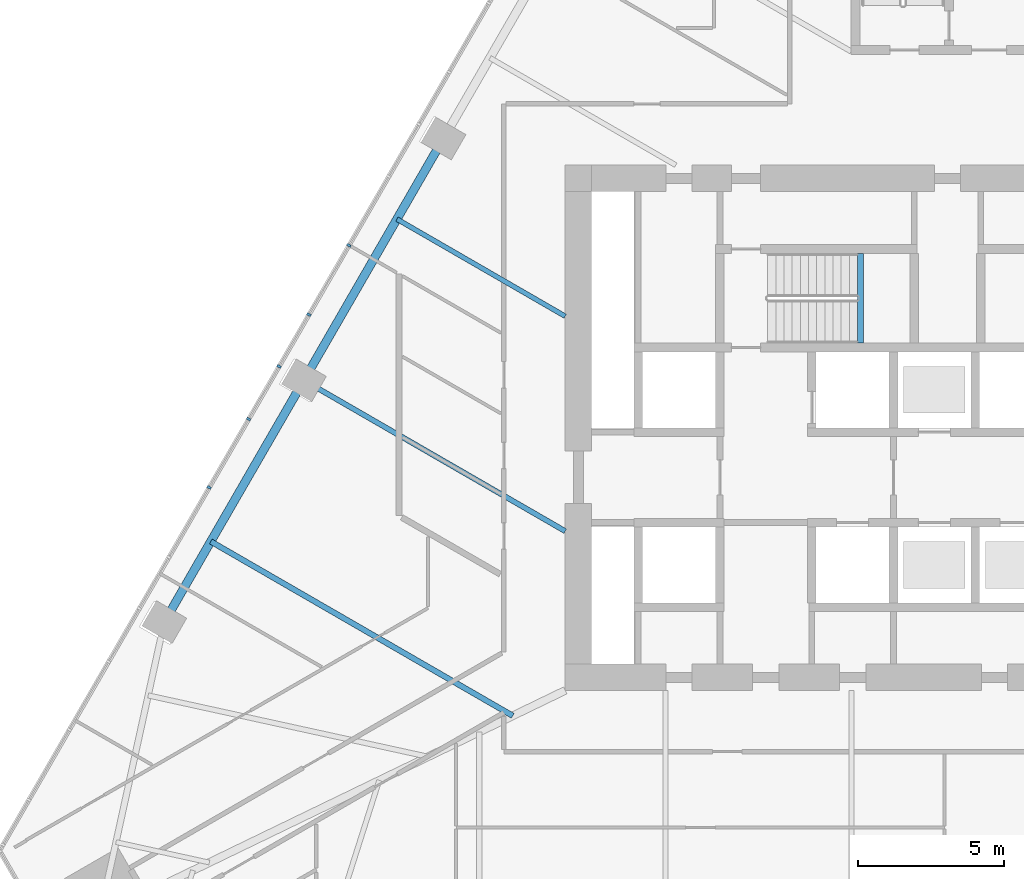
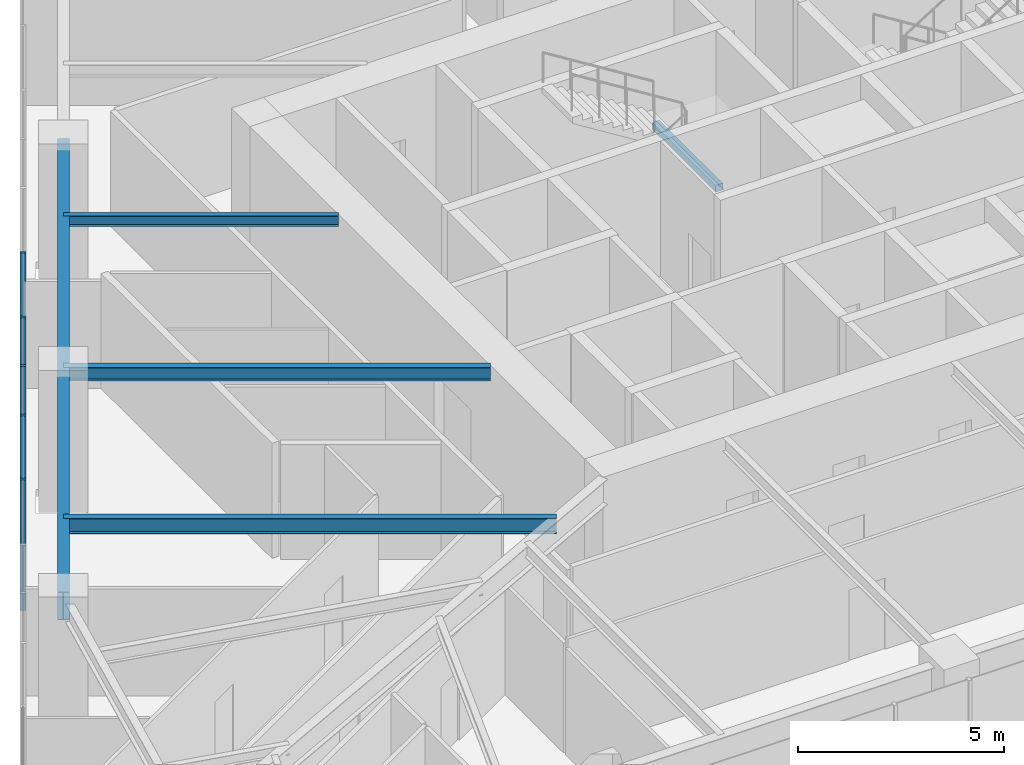
# One storey, part 3 of 29: 5 beams, 5 members, 1 element without a shape of its own.
"""IFC4 building model written with IfcOpenShell, lengths in metres."""

from ifc_helpers import new_model, si_unit, direction, frame, origin, origin_2d, place, context, subcontext, project, spatial, rectangle, i_section, extrude, material, layer, layer_set, material_profile, profile_set, type_object, element, aggregate, save


model = new_model("IFC4")

# Units and contexts
model_context = context("Model", 3, precision=1e-05, world=origin(), true_north=direction((0.0, 1.0)))
body_context = subcontext(model_context, "Body", "Model", "MODEL_VIEW")
ifc_project = project(units=[si_unit("LENGTHUNIT", "METRE"), si_unit("AREAUNIT", "SQUARE_METRE"), si_unit("VOLUMEUNIT", "CUBIC_METRE"), si_unit("PLANEANGLEUNIT", "RADIAN"), si_unit("MASSUNIT", "GRAM", prefix="KILO")], contexts=[model_context])

# Site, building, storey
site_placement = place(None, origin())
site = spatial("IfcSite", under=ifc_project, at=site_placement, CompositionType="ELEMENT")
building_placement = place(site_placement, origin())
building = spatial("IfcBuilding", under=site, at=building_placement, Name="Firuza Gate Tower and Library", CompositionType="ELEMENT")
storey_placement = place(building_placement, frame((0.0, 0.0, 48.39990234375)))
storey = spatial("IfcBuildingStorey", under=building, at=storey_placement, Name="L10", CompositionType="ELEMENT", Elevation=48.39990234375)

# Curtain wall, members
ifc_material_1 = material(Name="Aluminium 6063-T6", Category="aluminium")
ifc_layer = layer(ifc_material_1, 0.14990234375)
ifc_layer_set = layer_set([ifc_layer], Name="Unitised curtain wall, offices")
curtain_wall_type = type_object("IfcCurtainWallType", Name="Unitised curtain wall, offices", PredefinedType="NOTDEFINED", material=ifc_layer_set)
curtain_wall_placement = place(storey_placement, origin())
curtain_wall = element("IfcCurtainWall", 1, at=curtain_wall_placement, inside=storey, type_object=curtain_wall_type, Name="CW1 L10 W face", PredefinedType="NOTDEFINED")
ifc_material_2 = material(Name="Aluminium 6063-T6", Category="aluminium")
ifc_material_profile_1 = material_profile(ifc_material_2, rectangle(XDim=0.14990234375, YDim=0.080078125, at=origin_2d()))
ifc_profile_set_1 = profile_set([ifc_material_profile_1], Name="Aluminium 6063-T6")
member_type = type_object("IfcMemberType", Name="Curtain wall mullion 80x150", PredefinedType="MULLION", material=ifc_profile_set_1)
member_1_placement = place(storey_placement, frame((54.5888671875, 81.25244140625, 0.150146484375), z_axis=(0.0, 0.0, 1.0), x_axis=(0.866025403784, -0.5, 0.0)))
member_1 = element("IfcMember", 2, at=member_1_placement, type_object=member_type, Name="Mullion", PredefinedType="MULLION", context=body_context, shape_type="SweptSolid", body=[
    extrude(rectangle(XDim=0.14990234375, YDim=0.080078125, at=origin_2d()), origin(), (0.0, 0.0, 1.0), 3.849853515625),
])
member_2_placement = place(storey_placement, frame((52.193359375, 77.103515625, 0.150146484375), z_axis=(0.0, 0.0, 1.0), x_axis=(0.866025403784, -0.5, 0.0)))
member_2 = element("IfcMember", 3, at=member_2_placement, type_object=member_type, Name="Mullion", PredefinedType="MULLION", context=body_context, shape_type="SweptSolid", body=[
    extrude(rectangle(XDim=0.14990234375, YDim=0.080078125, at=origin_2d()), origin(), (0.0, 0.0, 1.0), 3.849853515625),
])
member_3_placement = place(storey_placement, frame((49.7978515625, 72.95458984375, 0.150146484375), z_axis=(0.0, 0.0, 1.0), x_axis=(0.866025403784, -0.5, 0.0)))
member_3 = element("IfcMember", 4, at=member_3_placement, type_object=member_type, Name="Mullion", PredefinedType="MULLION", context=body_context, shape_type="SweptSolid", body=[
    extrude(rectangle(XDim=0.14990234375, YDim=0.080078125, at=origin_2d()), origin(), (0.0, 0.0, 1.0), 3.849853515625),
])
member_4_placement = place(storey_placement, frame((53.21728515625, 78.876953125, 0.150146484375), z_axis=(0.0, 0.0, 1.0), x_axis=(0.866025403784, -0.5, 0.0)))
member_4 = element("IfcMember", 5, at=member_4_placement, type_object=member_type, Name="Mullion", PredefinedType="MULLION", context=body_context, shape_type="SweptSolid", body=[
    extrude(rectangle(XDim=0.14990234375, YDim=0.080078125, at=origin_2d()), origin(), (0.0, 0.0, 1.0), 3.849853515625),
])
member_5_placement = place(storey_placement, frame((51.151123046875, 75.29833984375, 0.150146484375), z_axis=(0.0, 0.0, 1.0), x_axis=(0.866025403784, -0.5, 0.0)))
member_5 = element("IfcMember", 6, at=member_5_placement, type_object=member_type, Name="Mullion", PredefinedType="MULLION", context=body_context, shape_type="SweptSolid", body=[
    extrude(rectangle(XDim=0.14990234375, YDim=0.080078125, at=origin_2d()), origin(), (0.0, 0.0, 1.0), 3.849853515625),
])
aggregate(curtain_wall, [member_1, member_2, member_3, member_4, member_5])

# Beams
ifc_material_3 = material(Name="Concrete C35/45", Category="concrete")
ifc_material_profile_2 = material_profile(ifc_material_3, rectangle(XDim=0.199951171875, YDim=0.199951171875, at=origin_2d()))
ifc_profile_set_2 = profile_set([ifc_material_profile_2], Name="Concrete C35/45")
beam_type_1 = type_object("IfcBeamType", Name="Stair landing bearer 200x200", PredefinedType="BEAM", material=ifc_profile_set_2)
beam_1_placement = place(storey_placement, frame((72.1201171875, 77.89990234375, 1.800048828125), z_axis=(0.0, 1.0, 0.0), x_axis=(-1.0, 0.0, 0.0)))
element("IfcBeam", 7, at=beam_1_placement, inside=storey, type_object=beam_type_1, Name="Landing bearer L10 stair 1", PredefinedType="BEAM", context=body_context, shape_type="SweptSolid", body=[
    extrude(rectangle(XDim=0.199951171875, YDim=0.199951171875, at=origin_2d()), origin(), (0.0, 0.0, 1.0), 3.080078125),
])
ifc_material_4 = material(Name="Steel S355", Category="steel")
ifc_material_profile_3 = material_profile(ifc_material_4, i_section(OverallWidth=0.1650390625, OverallDepth=0.31005859375, WebThickness=0.005859375, FlangeThickness=0.009765625, at=origin_2d()))
ifc_profile_set_3 = profile_set([ifc_material_profile_3], Name="Steel S355")
beam_type_2 = type_object("IfcBeamType", Name="W310x39 Floor beam", PredefinedType="JOIST", material=ifc_profile_set_3)
beam_2_placement = place(storey_placement, frame((56.234130859375, 82.152099609375, 3.84521484375), z_axis=(0.866029870483, -0.499992263371, 0.0), x_axis=(0.499992263371, 0.866029870483, 0.0)))
element("IfcBeam", 8, at=beam_2_placement, inside=storey, type_object=beam_type_2, Name="Floor beam L10 s83", PredefinedType="JOIST", context=body_context, shape_type="SweptSolid", body=[
    extrude(i_section(OverallWidth=0.1650390625, OverallDepth=0.31005859375, WebThickness=0.005859375, FlangeThickness=0.009765625, at=origin_2d()), origin(), (0.0, 0.0, 1.0), 6.65771484375),
])
ifc_material_5 = material(Name="Steel S355", Category="steel")
ifc_material_profile_4 = material_profile(ifc_material_5, i_section(OverallWidth=0.177978515625, OverallDepth=0.406982421875, WebThickness=0.0078125, FlangeThickness=0.0126953125, at=origin_2d()))
ifc_profile_set_4 = profile_set([ifc_material_profile_4], Name="Steel S355")
beam_type_3 = type_object("IfcBeamType", Name="W410x60 Floor beam", PredefinedType="JOIST", material=ifc_profile_set_4)
beam_3_placement = place(storey_placement, frame((53.044921875, 76.62841796875, 3.796630859375), z_axis=(0.866027528992, -0.499996319015, 0.0), x_axis=(0.499996319015, 0.866027528992, 0.0)))
element("IfcBeam", 9, at=beam_3_placement, inside=storey, type_object=beam_type_3, Name="Floor beam L10 s84", PredefinedType="JOIST", context=body_context, shape_type="SweptSolid", body=[
    extrude(i_section(OverallWidth=0.177978515625, OverallDepth=0.406982421875, WebThickness=0.0078125, FlangeThickness=0.0126953125, at=origin_2d()), origin(), (0.0, 0.0, 1.0), 10.34033203125),
])
ifc_material_6 = material(Name="Steel S355", Category="steel")
ifc_material_profile_5 = material_profile(ifc_material_6, i_section(OverallWidth=0.18994140625, OverallDepth=0.45703125, WebThickness=0.009033203125, FlangeThickness=0.014404296875, at=origin_2d()))
ifc_profile_set_5 = profile_set([ifc_material_profile_5], Name="Steel S355")
beam_type_4 = type_object("IfcBeamType", Name="W460x74 Floor beam", PredefinedType="JOIST", material=ifc_profile_set_5)
beam_4_placement = place(storey_placement, frame((49.85595703125, 71.104736328125, 3.771484375), z_axis=(0.866022587882, -0.500004877254, 0.0), x_axis=(0.500004877254, 0.866022587882, 0.0)))
element("IfcBeam", 10, at=beam_4_placement, inside=storey, type_object=beam_type_4, Name="Floor beam L10 s85", PredefinedType="JOIST", context=body_context, shape_type="SweptSolid", body=[
    extrude(i_section(OverallWidth=0.18994140625, OverallDepth=0.45703125, WebThickness=0.009033203125, FlangeThickness=0.014404296875, at=origin_2d()), origin(), (0.0, 0.0, 1.0), 11.94775390625),
])
ifc_material_7 = material(Name="Steel S355", Category="steel")
ifc_material_profile_6 = material_profile(ifc_material_7, i_section(OverallWidth=0.2919921875, OverallDepth=0.8349609375, WebThickness=0.013916015625, FlangeThickness=0.018798828125, at=origin_2d()))
ifc_profile_set_6 = profile_set([ifc_material_profile_6], Name="Steel S355")
beam_type_5 = type_object("IfcBeamType", Name="W840x176 Edge beam", PredefinedType="SPANDREL", material=ifc_profile_set_6)
beam_5_placement = place(storey_placement, frame((57.82861328125, 84.913818359375, 3.58251953125), z_axis=(-0.500008878765, -0.866020277567, 0.0), x_axis=(0.866020277567, -0.500008878765, 0.0)))
element("IfcBeam", 11, at=beam_5_placement, inside=storey, type_object=beam_type_5, Name="Edge beam L10 e82", PredefinedType="SPANDREL", context=body_context, shape_type="SweptSolid", body=[
    extrude(i_section(OverallWidth=0.2919921875, OverallDepth=0.8349609375, WebThickness=0.013916015625, FlangeThickness=0.018798828125, at=origin_2d()), origin(), (0.0, 0.0, 1.0), 19.134521484375),
])

save(model, "model.ifc")
